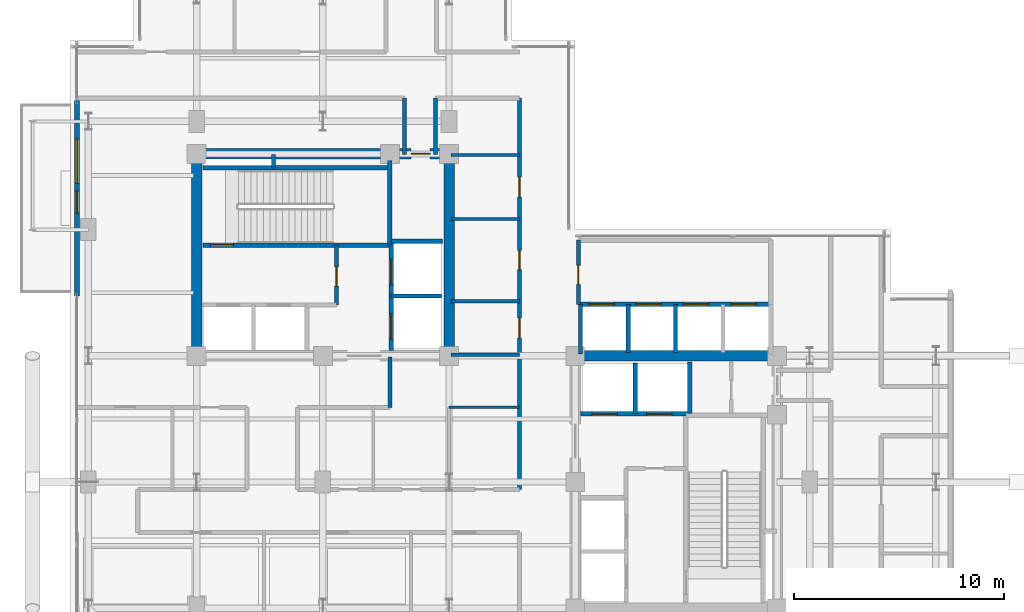
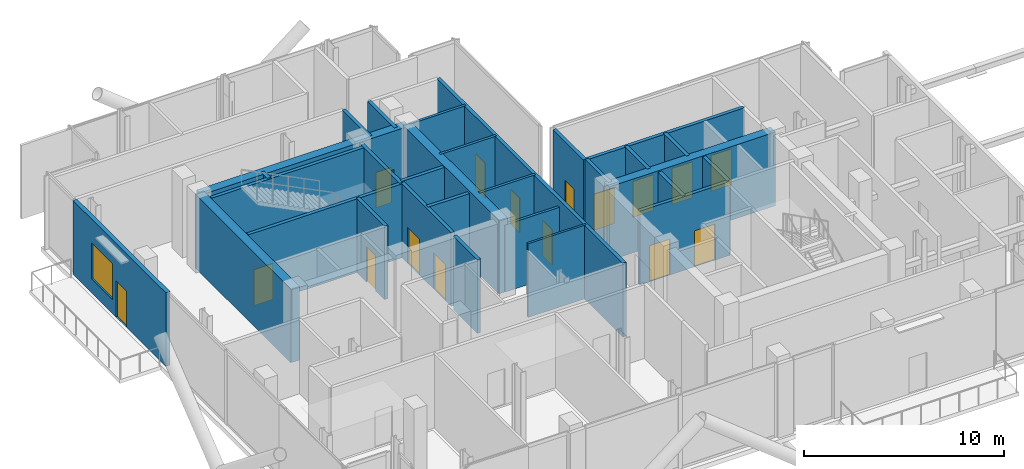
# One storey, part 18 of 22: 30 walls, 16 doors, 1 window, 17 openings.
"""IFC4 building model written with IfcOpenShell, lengths in metres."""

from ifc_helpers import new_model, si_unit, direction, frame, frame_2d, origin, place, context, subcontext, project, spatial, rectangle, extrude, material, layer, layer_set, type_object, element, fill, save


model = new_model("IFC4")

# Units and contexts
model_context = context("Model", 3, precision=1e-05, world=origin(), true_north=direction((0.0, 1.0)))
body_context = subcontext(model_context, "Body", "Model", "MODEL_VIEW")
ifc_project = project(units=[si_unit("LENGTHUNIT", "METRE"), si_unit("AREAUNIT", "SQUARE_METRE"), si_unit("VOLUMEUNIT", "CUBIC_METRE"), si_unit("PLANEANGLEUNIT", "RADIAN"), si_unit("MASSUNIT", "GRAM", prefix="KILO"), si_unit("THERMODYNAMICTEMPERATUREUNIT", "KELVIN"), si_unit("POWERUNIT", "WATT")], contexts=[model_context])

# Site, building, storey
site_placement = place(None, origin())
site = spatial("IfcSite", under=ifc_project, at=site_placement, CompositionType="ELEMENT")
building_placement = place(site_placement, origin())
building = spatial("IfcBuilding", under=site, at=building_placement, Name="Svarakhadi Broadcast Tower", CompositionType="ELEMENT")
storey_placement = place(building_placement, frame((0.0, 0.0, 199.199951171875)))
storey = spatial("IfcBuildingStorey", under=building, at=storey_placement, Name="L49", CompositionType="ELEMENT", Elevation=199.199951171875)

# Wall, openings, door, window
ifc_material_1 = material(Name="Concrete C40/50 (IS 456 M50)", Category="concrete")
ifc_layer_1 = layer(ifc_material_1, 0.239990234375)
ifc_layer_set_1 = layer_set([ifc_layer_1], Name="Concrete C40/50 (IS 456 M50)")
wall_type_1 = type_object("IfcWallType", Name="Wall_Ext_240", PredefinedType="SOLIDWALL", material=ifc_layer_set_1)
wall_1_placement = place(storey_placement, frame((0.300048828125, 20.85498046875, 0.0), z_axis=(0.0, 0.0, 1.0), x_axis=(0.0, 1.0, 0.0)))
wall_1 = element("IfcWall", 1, at=wall_1_placement, inside=storey, type_object=wall_type_1, Name="L49 West Tree Balcony Spandrel Wall", PredefinedType="SOLIDWALL", context=body_context, shape_type="SweptSolid", body=[
    extrude(rectangle(XDim=9.2900390625, YDim=0.239990234375, at=frame_2d((4.64501953125, 0.0))), origin(), (0.0, 0.0, 1.0), 4.5),
])
opening_1_placement = place(wall_1_placement, frame((3.945068359375, 0.0, 0.0)))
opening_1 = element("IfcOpeningElement", 2, at=opening_1_placement, cuts=wall_1, Name="Opening ED-06", PredefinedType="OPENING", context=body_context, shape_type="SweptSolid", body=[
    extrude(rectangle(XDim=1.050048828125, YDim=2.199951171875, at=frame_2d((0.52490234375, 1.10009765625))), frame((0.0, 0.1298828125, 0.0), z_axis=(0.0, -1.0, 0.0), x_axis=(1.0, 0.0, 0.0)), (0.0, 0.0, 1.0), 0.260009765625),
])
opening_2_placement = place(wall_1_placement, frame((5.344970703125, 0.0, 0.85009765625)))
opening_2 = element("IfcOpeningElement", 3, at=opening_2_placement, cuts=wall_1, Name="Opening WN-06", PredefinedType="OPENING", context=body_context, shape_type="SweptSolid", body=[
    extrude(rectangle(XDim=2.10009765625, YDim=2.199951171875, at=frame_2d((1.050048828125, 1.10009765625))), frame((0.0, 0.1298828125, 0.0), z_axis=(0.0, -1.0, 0.0), x_axis=(1.0, 0.0, 0.0)), (0.0, 0.0, 1.0), 0.260009765625),
])
ifc_material_2 = material(Name="Anodised Bronze Aluminium AA 6063-T6", Category="aluminium")
door_type_1 = type_object("IfcDoorType", Name="Door_Ext_ED06", OperationType="SINGLE_SWING_RIGHT", PredefinedType="DOOR", material=ifc_material_2)
door_1_placement = place(opening_1_placement, origin())
door_1 = element("IfcDoor", 4, at=door_1_placement, inside=storey, type_object=door_type_1, Name="L49 West Tree Balcony Door", OperationType="SINGLE_SWING_RIGHT", OverallHeight=2.199951171875, OverallWidth=1.050048828125, PredefinedType="DOOR", context=body_context, shape_type="SweptSolid", body=[
    extrude(rectangle(XDim=1.050048828125, YDim=2.199951171875, at=frame_2d((0.52490234375, 1.10009765625))), frame((0.0, 0.02490234375, 0.0), z_axis=(0.0, -1.0, 0.0), x_axis=(1.0, 0.0, 0.0)), (0.0, 0.0, 1.0), 0.050048828125),
])
fill(opening_1, door_1)
ifc_material_3 = material(Name="Double Low-E Laminated Acoustic Glass IGU 36 mm", Category="glass")
window_type = type_object("IfcWindowType", Name="Win_Hotel_WN06", PartitioningType="SINGLE_PANEL", PredefinedType="WINDOW", material=ifc_material_3)
window_placement = place(opening_2_placement, origin())
window = element("IfcWindow", 5, at=window_placement, inside=storey, type_object=window_type, Name="L49 West Tree Balcony Window", OverallHeight=2.199951171875, OverallWidth=2.10009765625, PartitioningType="SINGLE_PANEL", PredefinedType="WINDOW", context=body_context, shape_type="SweptSolid", body=[
    extrude(rectangle(XDim=2.10009765625, YDim=2.199951171875, at=frame_2d((1.050048828125, 1.10009765625))), frame((0.0, 0.030029296875, 0.0), z_axis=(0.0, -1.0, 0.0), x_axis=(1.0, 0.0, 0.0)), (0.0, 0.0, 1.0), 0.06005859375),
])
fill(opening_2, window)

# Walls
ifc_layer_2 = layer(ifc_material_1, 0.199951171875)
ifc_layer_set_2 = layer_set([ifc_layer_2], Name="Concrete C40/50 (IS 456 M50)")
wall_type_2 = type_object("IfcWallType", Name="Wall_Fire_200", PredefinedType="SOLIDWALL", material=ifc_layer_set_2)
wall_2_placement = place(storey_placement, frame((9.659912109375, 26.93994140625, 0.0), z_axis=(0.0, 0.0, 1.0), x_axis=(0.0, 1.0, 0.0)))
element("IfcWall", 6, at=wall_2_placement, inside=storey, type_object=wall_type_2, Name="L49 Wet Riser Shaft East Wall", PredefinedType="SOLIDWALL", context=body_context, shape_type="SweptSolid", body=[
    extrude(rectangle(XDim=0.64013671875, YDim=0.199951171875, at=frame_2d((0.320068359375, 0.0))), origin(), (0.0, 0.0, 1.0), 4.5),
])
wall_3_placement = place(storey_placement, frame((15.199951171875, 17.949951171875, 0.0), z_axis=(0.0, 0.0, 1.0), x_axis=(0.0, -1.0, 0.0)))
element("IfcWall", 7, at=wall_3_placement, inside=storey, type_object=wall_type_2, Name="L49 Zone 2/3 Corridor Wall", PredefinedType="SOLIDWALL", context=body_context, shape_type="SweptSolid", body=[
    extrude(rectangle(XDim=2.39990234375, YDim=0.199951171875, at=frame_2d((1.199951171875, 0.0))), origin(), (0.0, 0.0, 1.0), 4.5),
])

# Wall, openings, doors
wall_4_placement = place(storey_placement, frame((21.35009765625, 11.64990234375, 0.0), z_axis=(0.0, 0.0, 1.0), x_axis=(0.0, 1.0, 0.0)))
wall_4 = element("IfcWall", 8, at=wall_4_placement, inside=storey, type_object=wall_type_2, Name="L49 Zone 2/3 Corridor Wall", PredefinedType="SOLIDWALL", context=body_context, shape_type="SweptSolid", body=[
    extrude(rectangle(XDim=18.60009765625, YDim=0.199951171875, at=frame_2d((9.300048828125, 0.0))), origin(), (0.0, 0.0, 1.0), 4.5),
])
opening_3_placement = place(wall_4_placement, frame((7.199951171875, 0.0, 0.0)))
opening_3 = element("IfcOpeningElement", 9, at=opening_3_placement, cuts=wall_4, Name="Opening D-06", PredefinedType="OPENING", context=body_context, shape_type="SweptSolid", body=[
    extrude(rectangle(XDim=0.949951171875, YDim=2.14990234375, at=frame_2d((0.47509765625, 1.074951171875))), frame((0.0, 0.10986328125, 0.0), z_axis=(0.0, -1.0, 0.0), x_axis=(1.0, 0.0, 0.0)), (0.0, 0.0, 1.0), 0.219970703125),
])
opening_4_placement = place(wall_4_placement, frame((10.449951171875, 0.0, 0.0)))
opening_4 = element("IfcOpeningElement", 10, at=opening_4_placement, cuts=wall_4, Name="Opening D-13", PredefinedType="OPENING", context=body_context, shape_type="SweptSolid", body=[
    extrude(rectangle(XDim=0.89990234375, YDim=2.10009765625, at=frame_2d((0.449951171875, 1.050048828125))), frame((0.0, 0.10986328125, 0.0), z_axis=(0.0, -1.0, 0.0), x_axis=(1.0, 0.0, 0.0)), (0.0, 0.0, 1.0), 0.219970703125),
])
opening_5_placement = place(wall_4_placement, frame((13.89990234375, 0.0, 0.0)))
opening_5 = element("IfcOpeningElement", 11, at=opening_5_placement, cuts=wall_4, Name="Opening D-06", PredefinedType="OPENING", context=body_context, shape_type="SweptSolid", body=[
    extrude(rectangle(XDim=0.949951171875, YDim=2.14990234375, at=frame_2d((0.47509765625, 1.074951171875))), frame((0.0, 0.10986328125, 0.0), z_axis=(0.0, -1.0, 0.0), x_axis=(1.0, 0.0, 0.0)), (0.0, 0.0, 1.0), 0.219970703125),
])
ifc_material_4 = material(Name="Solid-Core Teak Veneer Acoustic Timber Leaf", Category="wood")
door_type_2 = type_object("IfcDoorType", Name="Door_Closet_D13", OperationType="SINGLE_SWING_RIGHT", PredefinedType="DOOR", material=ifc_material_4)
door_2_placement = place(opening_4_placement, origin())
door_2 = element("IfcDoor", 12, at=door_2_placement, inside=storey, type_object=door_type_2, Name="L49 Accessible Guest Washroom WC Door", OperationType="SINGLE_SWING_RIGHT", OverallHeight=2.10009765625, OverallWidth=0.89990234375, PredefinedType="DOOR", context=body_context, shape_type="SweptSolid", body=[
    extrude(rectangle(XDim=0.89990234375, YDim=2.10009765625, at=frame_2d((0.449951171875, 1.050048828125))), frame((0.0, 0.02490234375, 0.0), z_axis=(0.0, -1.0, 0.0), x_axis=(1.0, 0.0, 0.0)), (0.0, 0.0, 1.0), 0.050048828125),
])
fill(opening_4, door_2)
door_type_3 = type_object("IfcDoorType", Name="Door_Office_D06", OperationType="SINGLE_SWING_LEFT", PredefinedType="DOOR", material=ifc_material_4)
door_3_placement = place(opening_3_placement, origin())
door_3 = element("IfcDoor", 13, at=door_3_placement, inside=storey, type_object=door_type_3, Name="L49 Hotel Floor Butler Service Pantry Door", OperationType="SINGLE_SWING_LEFT", OverallHeight=2.14990234375, OverallWidth=0.949951171875, PredefinedType="DOOR", context=body_context, shape_type="SweptSolid", body=[
    extrude(rectangle(XDim=0.949951171875, YDim=2.14990234375, at=frame_2d((0.47509765625, 1.074951171875))), frame((0.0, 0.02490234375, 0.0), z_axis=(0.0, -1.0, 0.0), x_axis=(1.0, 0.0, 0.0)), (0.0, 0.0, 1.0), 0.050048828125),
])
fill(opening_3, door_3)
door_4_placement = place(opening_5_placement, origin())
door_4 = element("IfcDoor", 14, at=door_4_placement, inside=storey, type_object=door_type_3, Name="L49 Guest Concierge Valet Office Door", OperationType="SINGLE_SWING_LEFT", OverallHeight=2.14990234375, OverallWidth=0.949951171875, PredefinedType="DOOR", context=body_context, shape_type="SweptSolid", body=[
    extrude(rectangle(XDim=0.949951171875, YDim=2.14990234375, at=frame_2d((0.47509765625, 1.074951171875))), frame((0.0, 0.02490234375, 0.0), z_axis=(0.0, -1.0, 0.0), x_axis=(1.0, 0.0, 0.0)), (0.0, 0.0, 1.0), 0.050048828125),
])
fill(opening_5, door_4)

# Walls
for number, where, z_axis, x_axis, name in (
    (15, (17.35009765625, 30.25, 0.0), (0.0, 0.0, 1.0), (0.0, -1.0, 0.0), "L49 Zone 2/3 Corridor Wall"),
    (16, (15.8798828125, 27.580078125, 0.0), (0.0, 0.0, 1.0), (0.0, 1.0, 0.0), "L49 Zone 2/3 Corridor Wall"),
):
    element("IfcWall", number, at=place(storey_placement, frame(where, z_axis=z_axis, x_axis=x_axis)), inside=storey, type_object=wall_type_2, Name=name, PredefinedType="SOLIDWALL", context=body_context, shape_type="SweptSolid", body=[
        extrude(rectangle(XDim=2.669921875, YDim=0.199951171875, at=frame_2d((1.3349609375, 0.0))), origin(), (0.0, 0.0, 1.0), 4.5),
    ])
ifc_material_5 = material(Name="Fire-Rated Moisture-Resistant Gypsum Board Partition", Category="gypsum")
ifc_layer_3 = layer(ifc_material_5, 0.125)
ifc_layer_set_3 = layer_set([ifc_layer_3], Name="Fire-Rated Moisture-Resistant Gypsum Board Partition")
wall_type_3 = type_object("IfcWallType", Name="Wall_Part_125", PredefinedType="PARTITIONING", material=ifc_layer_set_3)
wall_5_placement = place(storey_placement, frame((18.0, 15.550048828125, 0.0), z_axis=(0.0, 0.0, 1.0), x_axis=(1.0, 0.0, 0.0)))
element("IfcWall", 17, at=wall_5_placement, inside=storey, type_object=wall_type_3, Name="L49 Accessible Floor Washroom WC Wall", PredefinedType="PARTITIONING", context=body_context, shape_type="SweptSolid", body=[
    extrude(rectangle(XDim=3.35009765625, YDim=0.125, at=frame_2d((1.675048828125, 0.0))), origin(), (0.0, 0.0, 1.0), 4.5),
])
ifc_material_6 = material(Name="Autoclaved Aerated Concrete Blockwork 150 mm", Category="masonry")
ifc_layer_4 = layer(ifc_material_6, 0.14990234375)
ifc_layer_set_4 = layer_set([ifc_layer_4], Name="Autoclaved Aerated Concrete Blockwork 150 mm")
wall_type_4 = type_object("IfcWallType", Name="Wall_Part_150", PredefinedType="PARTITIONING", material=ifc_layer_set_4)
wall_6_placement = place(storey_placement, frame((18.10009765625, 18.050048828125, 0.0), z_axis=(0.0, 0.0, 1.0), x_axis=(1.0, 0.0, 0.0)))
element("IfcWall", 18, at=wall_6_placement, inside=storey, type_object=wall_type_4, Name="L49 Hotel Floor Butler Service Pantry Wall", PredefinedType="PARTITIONING", context=body_context, shape_type="SweptSolid", body=[
    extrude(rectangle(XDim=3.25, YDim=0.14990234375, at=frame_2d((1.625, 0.0))), origin(), (0.0, 0.0, 1.0), 4.092041015625),
])
for number, where, z_axis, x_axis, name in (
    (19, (18.10009765625, 20.60009765625, 0.0), (0.0, 0.0, 1.0), (1.0, 0.0, 0.0), "L49 Hotel Floor Butler Service Pantry Wall"),
    (20, (18.10009765625, 24.5, 0.0), (0.0, 0.0, 1.0), (1.0, 0.0, 0.0), "L49 Accessible Guest Washroom WC Wall"),
    (21, (18.10009765625, 27.550048828125, 0.0), (0.0, 0.0, 1.0), (1.0, 0.0, 0.0), "L49 Guest Concierge Valet Office Wall"),
):
    element("IfcWall", number, at=place(storey_placement, frame(where, z_axis=z_axis, x_axis=x_axis)), inside=storey, type_object=wall_type_4, Name=name, PredefinedType="PARTITIONING", context=body_context, shape_type="SweptSolid", body=[
        extrude(rectangle(XDim=3.25, YDim=0.14990234375, at=frame_2d((1.625, 0.0))), origin(), (0.0, 0.0, 1.0), 4.5),
    ])

# Wall, opening, door
ifc_material_7 = material(Name="Concrete C50/60 (IS 456 M60)", Category="concrete")
ifc_layer_5 = layer(ifc_material_7, 0.199951171875)
ifc_layer_set_5 = layer_set([ifc_layer_5], Name="Concrete C50/60 (IS 456 M60)")
wall_type_5 = type_object("IfcWallType", Name="Wall_Shear_200", PredefinedType="SHEAR", material=ifc_layer_set_5)
wall_7_placement = place(storey_placement, frame((6.300048828125, 23.260009765625, 0.0), z_axis=(0.0, 0.0, 1.0), x_axis=(1.0, 0.0, 0.0)))
wall_7 = element("IfcWall", 22, at=wall_7_placement, inside=storey, type_object=wall_type_5, Name="L49 Stair ST-01 South RC Shaft Wall", PredefinedType="SHEAR", context=body_context, shape_type="SweptSolid", body=[
    extrude(rectangle(XDim=8.8798828125, YDim=0.199951171875, at=frame_2d((4.43994140625, 0.0))), origin(), (0.0, 0.0, 1.0), 4.5),
])
opening_6_placement = place(wall_7_placement, frame((0.35009765625, 0.0, 0.0)))
opening_6 = element("IfcOpeningElement", 23, at=opening_6_placement, cuts=wall_7, Name="Opening D-01", PredefinedType="OPENING", context=body_context, shape_type="SweptSolid", body=[
    extrude(rectangle(XDim=1.10009765625, YDim=2.199951171875, at=frame_2d((0.550048828125, 1.10009765625))), frame((0.0, 0.10986328125, 0.0), z_axis=(0.0, -1.0, 0.0), x_axis=(1.0, 0.0, 0.0)), (0.0, 0.0, 1.0), 0.219970703125),
])
ifc_material_8 = material(Name="Galvanised Powder-Coated Fire-Rated Steel Leaf", Category="steel")
door_type_4 = type_object("IfcDoorType", Name="Door_Stair_D01", OperationType="SINGLE_SWING_LEFT", PredefinedType="DOOR", material=ifc_material_8)
door_5_placement = place(opening_6_placement, origin())
door_5 = element("IfcDoor", 24, at=door_5_placement, inside=storey, type_object=door_type_4, Name="L49 Protected Exit Stair ST-01 Fire Door", OperationType="SINGLE_SWING_LEFT", OverallHeight=2.199951171875, OverallWidth=1.10009765625, PredefinedType="DOOR", context=body_context, shape_type="SweptSolid", body=[
    extrude(rectangle(XDim=1.10009765625, YDim=2.199951171875, at=frame_2d((0.550048828125, 1.10009765625))), frame((0.0, 0.02490234375, 0.0), z_axis=(0.0, -1.0, 0.0), x_axis=(1.0, 0.0, 0.0)), (0.0, 0.0, 1.0), 0.050048828125),
])
fill(opening_6, door_5)

# Walls
wall_8_placement = place(storey_placement, frame((6.300048828125, 26.93994140625, 0.0), z_axis=(0.0, 0.0, 1.0), x_axis=(1.0, 0.0, 0.0)))
element("IfcWall", 25, at=wall_8_placement, inside=storey, type_object=wall_type_5, Name="L49 Stair ST-01 North RC Shaft Wall", PredefinedType="SHEAR", context=body_context, shape_type="SweptSolid", body=[
    extrude(rectangle(XDim=8.8798828125, YDim=0.199951171875, at=frame_2d((4.43994140625, 0.0))), origin(), (0.0, 0.0, 1.0), 4.5),
])
wall_9_placement = place(storey_placement, frame((15.179931640625, 23.260009765625, 0.0), z_axis=(0.0, 0.0, 1.0), x_axis=(0.0, 1.0, 0.0)))
element("IfcWall", 26, at=wall_9_placement, inside=storey, type_object=wall_type_5, Name="L49 Stair ST-01 East RC Shaft Wall", PredefinedType="SHEAR", context=body_context, shape_type="SweptSolid", body=[
    extrude(rectangle(XDim=4.0400390625, YDim=0.199951171875, at=frame_2d((2.02001953125, 0.0))), origin(), (0.0, 0.0, 1.0), 4.5),
])

# Wall, opening, door
wall_10_placement = place(storey_placement, frame((12.64990234375, 20.419921875, 0.0), z_axis=(0.0, 0.0, 1.0), x_axis=(0.0, 1.0, 0.0)))
wall_10 = element("IfcWall", 27, at=wall_10_placement, inside=storey, type_object=wall_type_5, Name="L49 West Firefighting Lobby East Wall", PredefinedType="SHEAR", context=body_context, shape_type="SweptSolid", body=[
    extrude(rectangle(XDim=2.840087890625, YDim=0.199951171875, at=frame_2d((1.419921875, 0.0))), origin(), (0.0, 0.0, 1.0), 4.5),
])
opening_7_placement = place(wall_10_placement, frame((0.89990234375, 0.0, 0.0)))
opening_7 = element("IfcOpeningElement", 28, at=opening_7_placement, cuts=wall_10, Name="Opening D-03", PredefinedType="OPENING", context=body_context, shape_type="SweptSolid", body=[
    extrude(rectangle(XDim=0.89990234375, YDim=2.14990234375, at=frame_2d((0.449951171875, 1.074951171875))), frame((0.0, 0.10986328125, 0.0), z_axis=(0.0, -1.0, 0.0), x_axis=(1.0, 0.0, 0.0)), (0.0, 0.0, 1.0), 0.219970703125),
])
door_type_5 = type_object("IfcDoorType", Name="Door_Fire_D03", OperationType="SINGLE_SWING_LEFT", PredefinedType="DOOR", material=ifc_material_8)
door_6_placement = place(opening_7_placement, origin())
door_6 = element("IfcDoor", 29, at=door_6_placement, inside=storey, type_object=door_type_5, Name="L49 West Firefighting Lobby Fire Door", OperationType="SINGLE_SWING_LEFT", OverallHeight=2.14990234375, OverallWidth=0.89990234375, PredefinedType="DOOR", context=body_context, shape_type="SweptSolid", body=[
    extrude(rectangle(XDim=0.89990234375, YDim=2.14990234375, at=frame_2d((0.449951171875, 1.074951171875))), frame((0.0, 0.02490234375, 0.0), z_axis=(0.0, -1.0, 0.0), x_axis=(1.0, 0.0, 0.0)), (0.0, 0.0, 1.0), 0.050048828125),
])
fill(opening_7, door_6)

# Wall, openings, doors
wall_11_placement = place(storey_placement, frame((15.25, 18.25, 0.0), z_axis=(0.0, 0.0, 1.0), x_axis=(0.0, 1.0, 0.0)))
wall_11 = element("IfcWall", 30, at=wall_11_placement, inside=storey, type_object=wall_type_5, Name="L49 High-Rise Lift LF-13/14 West Shaft Wall", PredefinedType="SHEAR", context=body_context, shape_type="SweptSolid", body=[
    extrude(rectangle(XDim=5.199951171875, YDim=0.199951171875, at=frame_2d((2.60009765625, 0.0))), origin(), (0.0, 0.0, 1.0), 4.5),
])
opening_8_placement = place(wall_11_placement, frame((0.550048828125, 0.0, 0.0)))
opening_8 = element("IfcOpeningElement", 31, at=opening_8_placement, cuts=wall_11, Name="Opening LD-02", PredefinedType="OPENING", context=body_context, shape_type="SweptSolid", body=[
    extrude(rectangle(XDim=1.199951171875, YDim=2.199951171875, at=frame_2d((0.60009765625, 1.10009765625))), frame((0.0, 0.10986328125, 0.0), z_axis=(0.0, -1.0, 0.0), x_axis=(1.0, 0.0, 0.0)), (0.0, 0.0, 1.0), 0.219970703125),
])
opening_9_placement = place(wall_11_placement, frame((3.14990234375, 0.0, 0.0)))
opening_9 = element("IfcOpeningElement", 32, at=opening_9_placement, cuts=wall_11, Name="Opening LD-02", PredefinedType="OPENING", context=body_context, shape_type="SweptSolid", body=[
    extrude(rectangle(XDim=1.199951171875, YDim=2.199951171875, at=frame_2d((0.60009765625, 1.10009765625))), frame((0.0, 0.10986328125, 0.0), z_axis=(0.0, -1.0, 0.0), x_axis=(1.0, 0.0, 0.0)), (0.0, 0.0, 1.0), 0.219970703125),
])
door_type_6 = type_object("IfcDoorType", Name="Door_Lift_LD02", OperationType="SLIDING_TO_RIGHT", PredefinedType="DOOR", material=ifc_material_8)
door_7_placement = place(opening_8_placement, origin())
door_7 = element("IfcDoor", 33, at=door_7_placement, inside=storey, type_object=door_type_6, Name="L49 High-Rise Lift LF-13 Landing Door", OperationType="SLIDING_TO_RIGHT", OverallHeight=2.199951171875, OverallWidth=1.199951171875, PredefinedType="DOOR", context=body_context, shape_type="SweptSolid", body=[
    extrude(rectangle(XDim=1.199951171875, YDim=2.199951171875, at=frame_2d((0.60009765625, 1.10009765625))), frame((0.0, 0.02490234375, 0.0), z_axis=(0.0, -1.0, 0.0), x_axis=(1.0, 0.0, 0.0)), (0.0, 0.0, 1.0), 0.050048828125),
])
fill(opening_8, door_7)
door_8_placement = place(opening_9_placement, origin())
door_8 = element("IfcDoor", 34, at=door_8_placement, inside=storey, type_object=door_type_6, Name="L49 High-Rise Lift LF-14 Landing Door", OperationType="SLIDING_TO_RIGHT", OverallHeight=2.199951171875, OverallWidth=1.199951171875, PredefinedType="DOOR", context=body_context, shape_type="SweptSolid", body=[
    extrude(rectangle(XDim=1.199951171875, YDim=2.199951171875, at=frame_2d((0.60009765625, 1.10009765625))), frame((0.0, 0.02490234375, 0.0), z_axis=(0.0, -1.0, 0.0), x_axis=(1.0, 0.0, 0.0)), (0.0, 0.0, 1.0), 0.050048828125),
])
fill(opening_9, door_8)

# Walls
wall_12_placement = place(storey_placement, frame((15.25, 20.85009765625, 0.0), z_axis=(0.0, 0.0, 1.0), x_axis=(1.0, 0.0, 0.0)))
element("IfcWall", 35, at=wall_12_placement, inside=storey, type_object=wall_type_5, Name="L49 High-Rise Lift LF-13/14 Divider", PredefinedType="SHEAR", context=body_context, shape_type="SweptSolid", body=[
    extrude(rectangle(XDim=2.39990234375, YDim=0.199951171875, at=frame_2d((1.199951171875, 0.0))), origin(), (0.0, 0.0, 1.0), 4.5),
])
wall_13_placement = place(storey_placement, frame((15.25, 23.449951171875, 0.0), z_axis=(0.0, 0.0, 1.0), x_axis=(1.0, 0.0, 0.0)))
element("IfcWall", 36, at=wall_13_placement, inside=storey, type_object=wall_type_5, Name="L49 High-Rise Lift LF-13/14 North Wall", PredefinedType="SHEAR", context=body_context, shape_type="SweptSolid", body=[
    extrude(rectangle(XDim=2.449951171875, YDim=0.199951171875, at=frame_2d((1.22509765625, 0.0))), origin(), (0.0, 0.0, 1.0), 4.5),
])

# Wall, openings, doors
wall_14_placement = place(storey_placement, frame((24.25, 15.25, 0.0), z_axis=(0.0, 0.0, 1.0), x_axis=(1.0, 0.0, 0.0)))
wall_14 = element("IfcWall", 37, at=wall_14_placement, inside=storey, type_object=wall_type_5, Name="L49 High-Rise Lift LF-15/16 South Shaft Wall", PredefinedType="SHEAR", context=body_context, shape_type="SweptSolid", body=[
    extrude(rectangle(XDim=5.199951171875, YDim=0.199951171875, at=frame_2d((2.60009765625, 0.0))), origin(), (0.0, 0.0, 1.0), 4.5),
])
opening_10_placement = place(wall_14_placement, frame((0.550048828125, 0.0, 0.0)))
opening_10 = element("IfcOpeningElement", 38, at=opening_10_placement, cuts=wall_14, Name="Opening LD-02", PredefinedType="OPENING", context=body_context, shape_type="SweptSolid", body=[
    extrude(rectangle(XDim=1.199951171875, YDim=2.199951171875, at=frame_2d((0.60009765625, 1.10009765625))), frame((0.0, 0.10986328125, 0.0), z_axis=(0.0, -1.0, 0.0), x_axis=(1.0, 0.0, 0.0)), (0.0, 0.0, 1.0), 0.219970703125),
])
opening_11_placement = place(wall_14_placement, frame((3.14990234375, 0.0, 0.0)))
opening_11 = element("IfcOpeningElement", 39, at=opening_11_placement, cuts=wall_14, Name="Opening LD-02", PredefinedType="OPENING", context=body_context, shape_type="SweptSolid", body=[
    extrude(rectangle(XDim=1.199951171875, YDim=2.199951171875, at=frame_2d((0.60009765625, 1.10009765625))), frame((0.0, 0.10986328125, 0.0), z_axis=(0.0, -1.0, 0.0), x_axis=(1.0, 0.0, 0.0)), (0.0, 0.0, 1.0), 0.219970703125),
])
door_9_placement = place(opening_10_placement, origin())
door_9 = element("IfcDoor", 40, at=door_9_placement, inside=storey, type_object=door_type_6, Name="L49 High-Rise Lift LF-15 Landing Door", OperationType="SLIDING_TO_RIGHT", OverallHeight=2.199951171875, OverallWidth=1.199951171875, PredefinedType="DOOR", context=body_context, shape_type="SweptSolid", body=[
    extrude(rectangle(XDim=1.199951171875, YDim=2.199951171875, at=frame_2d((0.60009765625, 1.10009765625))), frame((0.0, 0.02490234375, 0.0), z_axis=(0.0, -1.0, 0.0), x_axis=(1.0, 0.0, 0.0)), (0.0, 0.0, 1.0), 0.050048828125),
])
fill(opening_10, door_9)
door_10_placement = place(opening_11_placement, origin())
door_10 = element("IfcDoor", 41, at=door_10_placement, inside=storey, type_object=door_type_6, Name="L49 High-Rise Lift LF-16 Landing Door", OperationType="SLIDING_TO_RIGHT", OverallHeight=2.199951171875, OverallWidth=1.199951171875, PredefinedType="DOOR", context=body_context, shape_type="SweptSolid", body=[
    extrude(rectangle(XDim=1.199951171875, YDim=2.199951171875, at=frame_2d((0.60009765625, 1.10009765625))), frame((0.0, 0.02490234375, 0.0), z_axis=(0.0, -1.0, 0.0), x_axis=(1.0, 0.0, 0.0)), (0.0, 0.0, 1.0), 0.050048828125),
])
fill(opening_11, door_10)

# Walls
wall_15_placement = place(storey_placement, frame((26.85009765625, 15.25, 0.0), z_axis=(0.0, 0.0, 1.0), x_axis=(0.0, 1.0, 0.0)))
element("IfcWall", 42, at=wall_15_placement, inside=storey, type_object=wall_type_5, Name="L49 High-Rise Lift LF-15/16 Divider", PredefinedType="SHEAR", context=body_context, shape_type="SweptSolid", body=[
    extrude(rectangle(XDim=2.39990234375, YDim=0.199951171875, at=frame_2d((1.199951171875, 0.0))), origin(), (0.0, 0.0, 1.0), 4.5),
])
wall_16_placement = place(storey_placement, frame((29.449951171875, 15.25, 0.0), z_axis=(0.0, 0.0, 1.0), x_axis=(0.0, 1.0, 0.0)))
element("IfcWall", 43, at=wall_16_placement, inside=storey, type_object=wall_type_5, Name="L49 High-Rise Lift LF-15/16 East Wall", PredefinedType="SHEAR", context=body_context, shape_type="SweptSolid", body=[
    extrude(rectangle(XDim=2.449951171875, YDim=0.199951171875, at=frame_2d((1.22509765625, 0.0))), origin(), (0.0, 0.0, 1.0), 4.5),
])
wall_17_placement = place(storey_placement, frame((24.25, 18.10009765625, 0.0), z_axis=(0.0, 0.0, 1.0), x_axis=(0.0, 1.0, 0.0)))
element("IfcWall", 44, at=wall_17_placement, inside=storey, type_object=wall_type_5, Name="L49 Bank B West Shaft Wall", PredefinedType="SHEAR", context=body_context, shape_type="SweptSolid", body=[
    extrude(rectangle(XDim=2.349853515625, YDim=0.199951171875, at=frame_2d((1.1748046875, 0.0))), origin(), (0.0, 0.0, 1.0), 4.5),
])

# Wall, openings, doors
wall_18_placement = place(storey_placement, frame((24.25, 20.449951171875, 0.0), z_axis=(0.0, 0.0, 1.0), x_axis=(1.0, 0.0, 0.0)))
wall_18 = element("IfcWall", 45, at=wall_18_placement, inside=storey, type_object=wall_type_5, Name="L49 Bank B North Landing Wall", PredefinedType="SHEAR", context=body_context, shape_type="SweptSolid", body=[
    extrude(rectangle(XDim=9.050048828125, YDim=0.199951171875, at=frame_2d((4.52490234375, 0.0))), origin(), (0.0, 0.0, 1.0), 4.5),
])
opening_12_placement = place(wall_18_placement, frame((0.39990234375, 0.0, 0.0)))
opening_12 = element("IfcOpeningElement", 46, at=opening_12_placement, cuts=wall_18, Name="Opening LD-02", PredefinedType="OPENING", context=body_context, shape_type="SweptSolid", body=[
    extrude(rectangle(XDim=1.199951171875, YDim=2.199951171875, at=frame_2d((0.60009765625, 1.10009765625))), frame((0.0, 0.10986328125, 0.0), z_axis=(0.0, -1.0, 0.0), x_axis=(1.0, 0.0, 0.0)), (0.0, 0.0, 1.0), 0.219970703125),
])
opening_13_placement = place(wall_18_placement, frame((2.64990234375, 0.0, 0.0)))
opening_13 = element("IfcOpeningElement", 47, at=opening_13_placement, cuts=wall_18, Name="Opening LD-02", PredefinedType="OPENING", context=body_context, shape_type="SweptSolid", body=[
    extrude(rectangle(XDim=1.199951171875, YDim=2.199951171875, at=frame_2d((0.60009765625, 1.10009765625))), frame((0.0, 0.10986328125, 0.0), z_axis=(0.0, -1.0, 0.0), x_axis=(1.0, 0.0, 0.0)), (0.0, 0.0, 1.0), 0.219970703125),
])
opening_14_placement = place(wall_18_placement, frame((4.89990234375, 0.0, 0.0)))
opening_14 = element("IfcOpeningElement", 48, at=opening_14_placement, cuts=wall_18, Name="Opening LD-02", PredefinedType="OPENING", context=body_context, shape_type="SweptSolid", body=[
    extrude(rectangle(XDim=1.199951171875, YDim=2.199951171875, at=frame_2d((0.60009765625, 1.10009765625))), frame((0.0, 0.10986328125, 0.0), z_axis=(0.0, -1.0, 0.0), x_axis=(1.0, 0.0, 0.0)), (0.0, 0.0, 1.0), 0.219970703125),
])
opening_15_placement = place(wall_18_placement, frame((7.14990234375, 0.0, 0.0)))
opening_15 = element("IfcOpeningElement", 49, at=opening_15_placement, cuts=wall_18, Name="Opening LD-02", PredefinedType="OPENING", context=body_context, shape_type="SweptSolid", body=[
    extrude(rectangle(XDim=1.199951171875, YDim=2.199951171875, at=frame_2d((0.60009765625, 1.10009765625))), frame((0.0, 0.10986328125, 0.0), z_axis=(0.0, -1.0, 0.0), x_axis=(1.0, 0.0, 0.0)), (0.0, 0.0, 1.0), 0.219970703125),
])
door_11_placement = place(opening_12_placement, origin())
door_11 = element("IfcDoor", 50, at=door_11_placement, inside=storey, type_object=door_type_6, Name="L49 Mid-Rise Lift LF-09 Landing Door", OperationType="SLIDING_TO_RIGHT", OverallHeight=2.199951171875, OverallWidth=1.199951171875, PredefinedType="DOOR", context=body_context, shape_type="SweptSolid", body=[
    extrude(rectangle(XDim=1.199951171875, YDim=2.199951171875, at=frame_2d((0.60009765625, 1.10009765625))), frame((0.0, 0.02490234375, 0.0), z_axis=(0.0, -1.0, 0.0), x_axis=(1.0, 0.0, 0.0)), (0.0, 0.0, 1.0), 0.050048828125),
])
fill(opening_12, door_11)
door_12_placement = place(opening_13_placement, origin())
door_12 = element("IfcDoor", 51, at=door_12_placement, inside=storey, type_object=door_type_6, Name="L49 Mid-Rise Lift LF-10 Landing Door", OperationType="SLIDING_TO_RIGHT", OverallHeight=2.199951171875, OverallWidth=1.199951171875, PredefinedType="DOOR", context=body_context, shape_type="SweptSolid", body=[
    extrude(rectangle(XDim=1.199951171875, YDim=2.199951171875, at=frame_2d((0.60009765625, 1.10009765625))), frame((0.0, 0.02490234375, 0.0), z_axis=(0.0, -1.0, 0.0), x_axis=(1.0, 0.0, 0.0)), (0.0, 0.0, 1.0), 0.050048828125),
])
fill(opening_13, door_12)
door_13_placement = place(opening_14_placement, origin())
door_13 = element("IfcDoor", 52, at=door_13_placement, inside=storey, type_object=door_type_6, Name="L49 Mid-Rise Lift LF-11 Landing Door", OperationType="SLIDING_TO_RIGHT", OverallHeight=2.199951171875, OverallWidth=1.199951171875, PredefinedType="DOOR", context=body_context, shape_type="SweptSolid", body=[
    extrude(rectangle(XDim=1.199951171875, YDim=2.199951171875, at=frame_2d((0.60009765625, 1.10009765625))), frame((0.0, 0.02490234375, 0.0), z_axis=(0.0, -1.0, 0.0), x_axis=(1.0, 0.0, 0.0)), (0.0, 0.0, 1.0), 0.050048828125),
])
fill(opening_14, door_13)
door_14_placement = place(opening_15_placement, origin())
door_14 = element("IfcDoor", 53, at=door_14_placement, inside=storey, type_object=door_type_6, Name="L49 Mid-Rise Lift LF-12 Landing Door", OperationType="SLIDING_TO_RIGHT", OverallHeight=2.199951171875, OverallWidth=1.199951171875, PredefinedType="DOOR", context=body_context, shape_type="SweptSolid", body=[
    extrude(rectangle(XDim=1.199951171875, YDim=2.199951171875, at=frame_2d((0.60009765625, 1.10009765625))), frame((0.0, 0.02490234375, 0.0), z_axis=(0.0, -1.0, 0.0), x_axis=(1.0, 0.0, 0.0)), (0.0, 0.0, 1.0), 0.050048828125),
])
fill(opening_15, door_14)

# Walls
for number, where, z_axis, x_axis, name in (
    (54, (26.52001953125, 18.14990234375, 0.0), (0.0, 0.0, 1.0), (0.0, 1.0, 0.0), "L49 Bank B Divider"),
    (55, (28.77001953125, 18.14990234375, 0.0), (0.0, 0.0, 1.0), (0.0, 1.0, 0.0), "L49 Bank B Divider"),
):
    element("IfcWall", number, at=place(storey_placement, frame(where, z_axis=z_axis, x_axis=x_axis)), inside=storey, type_object=wall_type_5, Name=name, PredefinedType="SHEAR", context=body_context, shape_type="SweptSolid", body=[
        extrude(rectangle(XDim=2.300048828125, YDim=0.199951171875, at=frame_2d((1.14990234375, 0.0))), origin(), (0.0, 0.0, 1.0), 4.5),
    ])

# Wall, opening, door
wall_19_placement = place(storey_placement, frame((24.14990234375, 20.449951171875, 0.0), z_axis=(0.0, 0.0, 1.0), x_axis=(0.0, 1.0, 0.0)))
wall_19 = element("IfcWall", 56, at=wall_19_placement, inside=storey, type_object=wall_type_5, Name="L49 Bank B Lift Hall West Wall", PredefinedType="SHEAR", context=body_context, shape_type="SweptSolid", body=[
    extrude(rectangle(XDim=3.050048828125, YDim=0.199951171875, at=frame_2d((1.52490234375, 0.0))), origin(), (0.0, 0.0, 1.0), 4.5),
])
opening_16_placement = place(wall_19_placement, frame((0.949951171875, 0.0, 0.0)))
opening_16 = element("IfcOpeningElement", 57, at=opening_16_placement, cuts=wall_19, Name="Opening D-04", PredefinedType="OPENING", context=body_context, shape_type="SweptSolid", body=[
    extrude(rectangle(XDim=0.89990234375, YDim=2.14990234375, at=frame_2d((0.449951171875, 1.074951171875))), frame((0.0, 0.10986328125, 0.0), z_axis=(0.0, -1.0, 0.0), x_axis=(1.0, 0.0, 0.0)), (0.0, 0.0, 1.0), 0.219970703125),
])
door_type_7 = type_object("IfcDoorType", Name="Door_Fire_D04", OperationType="SINGLE_SWING_RIGHT", PredefinedType="DOOR", material=ifc_material_8)
door_15_placement = place(opening_16_placement, origin())
door_15 = element("IfcDoor", 58, at=door_15_placement, inside=storey, type_object=door_type_7, Name="L49 Mid-Rise Lift Hall West Corridor Door", OperationType="SINGLE_SWING_RIGHT", OverallHeight=2.14990234375, OverallWidth=0.89990234375, PredefinedType="DOOR", context=body_context, shape_type="SweptSolid", body=[
    extrude(rectangle(XDim=0.89990234375, YDim=2.14990234375, at=frame_2d((0.449951171875, 1.074951171875))), frame((0.0, 0.02490234375, 0.0), z_axis=(0.0, -1.0, 0.0), x_axis=(1.0, 0.0, 0.0)), (0.0, 0.0, 1.0), 0.050048828125),
])
fill(opening_16, door_15)

ifc_layer_6 = layer(ifc_material_7, 0.5)
ifc_layer_set_6 = layer_set([ifc_layer_6], Name="Concrete C50/60 (IS 456 M60)")
wall_type_6 = type_object("IfcWallType", Name="Wall_Shear_500", PredefinedType="SHEAR", material=ifc_layer_set_6)
wall_20_placement = place(storey_placement, frame((6.0, 27.60009765625, 0.0), z_axis=(0.0, 0.0, 1.0), x_axis=(1.0, 0.0, 0.0)))
wall_20 = element("IfcWall", 59, at=wall_20_placement, inside=storey, type_object=wall_type_6, Name="L49 West Core North Shear Wall", PredefinedType="SHEAR", context=body_context, shape_type="SweptSolid", body=[
    extrude(rectangle(XDim=12.0, YDim=0.5, at=frame_2d((6.0, 0.0))), origin(), (0.0, 0.0, 1.0), 4.5),
])
opening_17_placement = place(wall_20_placement, frame((10.199951171875, 0.0, 0.0)))
opening_17 = element("IfcOpeningElement", 60, at=opening_17_placement, cuts=wall_20, Name="Opening D-04", PredefinedType="OPENING", context=body_context, shape_type="SweptSolid", body=[
    extrude(rectangle(XDim=0.89990234375, YDim=2.14990234375, at=frame_2d((0.449951171875, 1.074951171875))), frame((0.0, 0.260009765625, 0.0), z_axis=(0.0, -1.0, 0.0), x_axis=(1.0, 0.0, 0.0)), (0.0, 0.0, 1.0), 0.52001953125),
])
door_16_placement = place(opening_17_placement, origin())
door_16 = element("IfcDoor", 61, at=door_16_placement, inside=storey, type_object=door_type_7, Name="L49 Core Meter Cupboard Door", OperationType="SINGLE_SWING_RIGHT", OverallHeight=2.14990234375, OverallWidth=0.89990234375, PredefinedType="DOOR", context=body_context, shape_type="SweptSolid", body=[
    extrude(rectangle(XDim=0.89990234375, YDim=2.14990234375, at=frame_2d((0.449951171875, 1.074951171875))), frame((0.0, 0.02490234375, 0.0), z_axis=(0.0, -1.0, 0.0), x_axis=(1.0, 0.0, 0.0)), (0.0, 0.0, 1.0), 0.050048828125),
])
fill(opening_17, door_16)

# Walls
for number, where, z_axis, x_axis, name in (
    (62, (6.0, 18.0, 0.0), (0.0, 0.0, 1.0), (0.0, 1.0, 0.0), "L49 West Core West Shear Wall"),
    (63, (18.0, 18.0, 0.0), (0.0, 0.0, 1.0), (0.0, 1.0, 0.0), "L49 West Core East Shear Wall"),
    (64, (24.0, 18.0, 0.0), (0.0, 0.0, 1.0), (1.0, 0.0, 0.0), "L49 East Core North Shear Wall"),
):
    element("IfcWall", number, at=place(storey_placement, frame(where, z_axis=z_axis, x_axis=x_axis)), inside=storey, type_object=wall_type_6, Name=name, PredefinedType="SHEAR", context=body_context, shape_type="SweptSolid", body=[
        extrude(rectangle(XDim=9.60009765625, YDim=0.5, at=frame_2d((4.800048828125, 0.0))), origin(), (0.0, 0.0, 1.0), 4.5),
    ])

save(model, "model.ifc")
